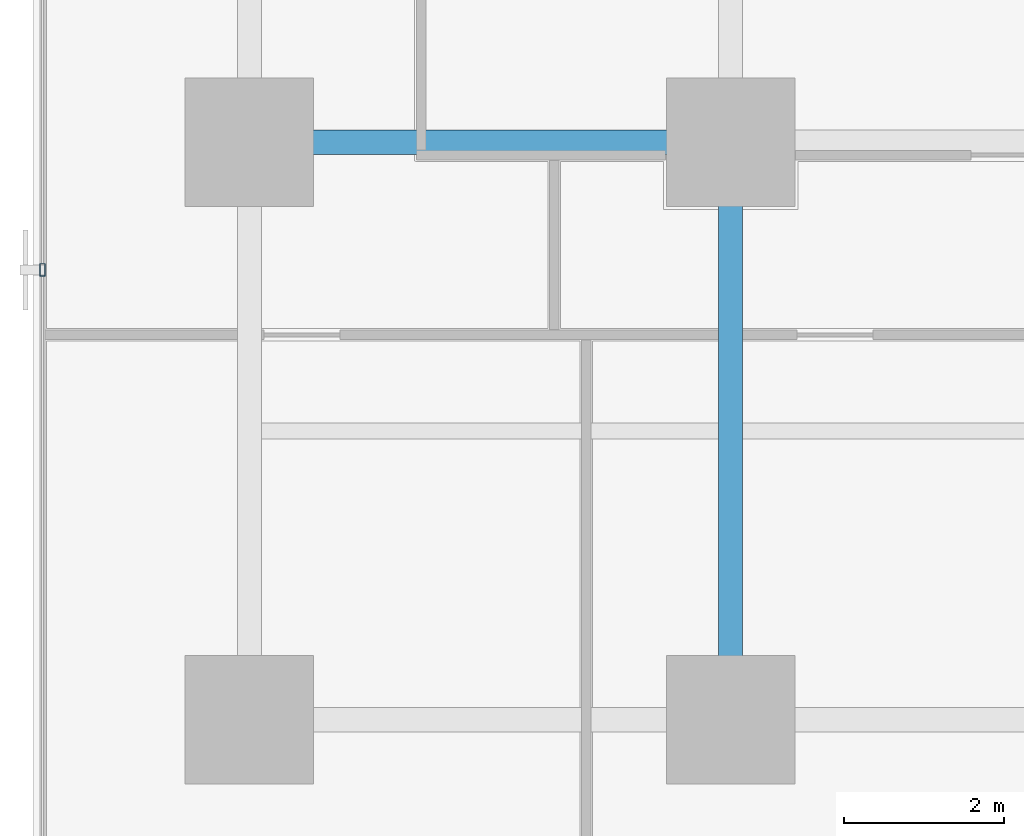
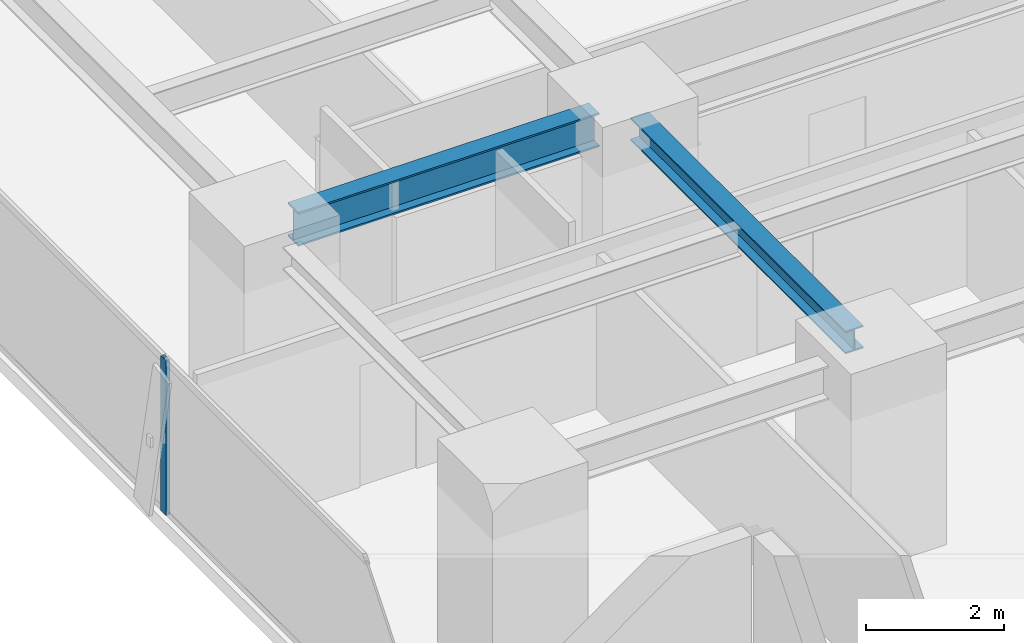
# One storey, part 4 of 37: 2 beams, 1 member, 1 element without a shape of its own.
"""IFC4 building model written with IfcOpenShell, lengths in metres."""

from ifc_helpers import new_model, si_unit, direction, frame, origin, origin_2d, place, context, subcontext, project, spatial, hollow_rectangle, i_section, extrude, source, transform, mapped, material, layer, layer_set, material_profile, profile_set, type_object, element, aggregate, save


model = new_model("IFC4")

# Units and contexts
model_context = context("Model", 3, precision=1e-05, world=origin(), true_north=direction((0.0, 1.0)))
body_context = subcontext(model_context, "Body", "Model", "MODEL_VIEW")
ifc_project = project(units=[si_unit("LENGTHUNIT", "METRE"), si_unit("AREAUNIT", "SQUARE_METRE"), si_unit("VOLUMEUNIT", "CUBIC_METRE"), si_unit("PLANEANGLEUNIT", "RADIAN"), si_unit("MASSUNIT", "GRAM", prefix="KILO")], contexts=[model_context])

# Site, building, storey
site_placement = place(None, origin())
site = spatial("IfcSite", under=ifc_project, at=site_placement, CompositionType="ELEMENT")
building_placement = place(site_placement, origin())
building = spatial("IfcBuilding", under=site, at=building_placement, Name="Sumidabori Civic Tower", CompositionType="ELEMENT")
storey_placement = place(building_placement, frame((0.0, 0.0, 88.39990234375)))
storey = spatial("IfcBuildingStorey", under=building, at=storey_placement, Name="L22", CompositionType="ELEMENT", Elevation=88.39990234375)

# Beams
ifc_material_1 = material(Name="Steel SN490", Category="steel")
ifc_material_profile_1 = material_profile(ifc_material_1, i_section(OverallWidth=0.300048828125, OverallDepth=0.60009765625, WebThickness=0.015380859375, FlangeThickness=0.030029296875, at=origin_2d()), Name="HE 600 B")
ifc_profile_set_1 = profile_set([ifc_material_profile_1], Name="Steel SN490")
beam_type_1 = type_object("IfcBeamType", Name="BM-GIRD-600", PredefinedType="BEAM", material=ifc_profile_set_1)
shared_shape_1 = source(origin(), body_context, "Body", "SweptSolid", [
    extrude(i_section(OverallWidth=0.300048828125, OverallDepth=0.60009765625, WebThickness=0.015380859375, FlangeThickness=0.030029296875, at=origin_2d()), origin(), (0.0, 0.0, 1.0), 5.0400390625),
])
beam_1_placement = place(storey_placement, frame((-22.320068359375, -10.800048828125, 3.06005859375), z_axis=(1.0, 0.0, 0.0), x_axis=(0.0, 1.0, 0.0)))
element("IfcBeam", 1, at=beam_1_placement, inside=storey, type_object=beam_type_1, Name="Primary Girder L22 GX-07", PredefinedType="BEAM", context=body_context, shape_type="MappedRepresentation", body=[
    mapped(shared_shape_1, transform((0.0, 0.0, 0.0), x_axis=(1.0, 0.0, 0.0), y_axis=(0.0, 1.0, 0.0), z_axis=(0.0, 0.0, 1.0), scale=1.0)),
])
ifc_material_profile_2 = material_profile(ifc_material_1, i_section(OverallWidth=0.300048828125, OverallDepth=0.39990234375, WebThickness=0.013427734375, FlangeThickness=0.02392578125, at=origin_2d()), Name="HE 400 B")
ifc_profile_set_2 = profile_set([ifc_material_profile_2], Name="Steel SN490")
beam_type_2 = type_object("IfcBeamType", Name="BM-GIRD-400", PredefinedType="BEAM", material=ifc_profile_set_2)
shared_shape_2 = source(origin(), body_context, "Body", "SweptSolid", [
    extrude(i_section(OverallWidth=0.300048828125, OverallDepth=0.39990234375, WebThickness=0.013427734375, FlangeThickness=0.02392578125, at=origin_2d()), origin(), (0.0, 0.0, 1.0), 6.239990234375),
])
beam_2_placement = place(storey_placement, frame((-16.800048828125, -17.52001953125, 3.16015625), z_axis=(0.0, 1.0, 0.0), x_axis=(-1.0, 0.0, 0.0)))
element("IfcBeam", 2, at=beam_2_placement, inside=storey, type_object=beam_type_2, Name="Primary Girder L22 GY-25", PredefinedType="BEAM", context=body_context, shape_type="MappedRepresentation", body=[
    mapped(shared_shape_2, transform((0.0, 0.0, 0.0), x_axis=(1.0, 0.0, 0.0), y_axis=(0.0, 1.0, 0.0), z_axis=(0.0, 0.0, 1.0), scale=1.0)),
])

# Curtain wall, member
ifc_material_2 = material(Name="Anodised Bronze Aluminium AW-6063-T6", Category="aluminium")
ifc_layer = layer(ifc_material_2, 0.179931640625, Name="Anodised Bronze Aluminium AW-6063-T6")
ifc_layer_set = layer_set([ifc_layer], Name="Anodised Bronze Aluminium AW-6063-T6")
curtain_wall_type = type_object("IfcCurtainWallType", Name="CW-SYS-3", PredefinedType="NOTDEFINED", material=ifc_layer_set)
curtain_wall_placement = place(storey_placement, origin())
curtain_wall = element("IfcCurtainWall", 3, at=curtain_wall_placement, inside=storey, type_object=curtain_wall_type, Name="Curtain Wall CW:L22:R10", PredefinedType="NOTDEFINED")
ifc_material_profile_3 = material_profile(ifc_material_2, hollow_rectangle(XDim=0.06494140625, YDim=0.159912109375, WallThickness=0.0048828125, at=origin_2d()), Name="ALU MULLION 160x65")
ifc_profile_set_3 = profile_set([ifc_material_profile_3], Name="Anodised Bronze Aluminium AW-6063-T6")
member_type = type_object("IfcMemberType", Name="CW-MUL-160", PredefinedType="MULLION", material=ifc_profile_set_3)
shared_shape_3 = source(origin(), body_context, "Body", "SweptSolid", [
    extrude(hollow_rectangle(XDim=0.06494140625, YDim=0.159912109375, WallThickness=0.0048828125, at=origin_2d()), origin(), (0.0, 0.0, 1.0), 2.739990234375),
])
member_placement = place(storey_placement, frame((-25.3798828125, -12.39208984375, 0.0), z_axis=(0.0, 0.0, 1.0), x_axis=(1.0, 0.0, 0.0)))
member = element("IfcMember", 4, at=member_placement, type_object=member_type, Name="CW-3 mullion 5", PredefinedType="MULLION", context=body_context, shape_type="MappedRepresentation", body=[
    mapped(shared_shape_3, transform((0.0, 0.0, 0.0), x_axis=(1.0, 0.0, 0.0), y_axis=(0.0, 1.0, 0.0), z_axis=(0.0, 0.0, 1.0), scale=1.0)),
])
aggregate(curtain_wall, [member])

save(model, "model.ifc")
